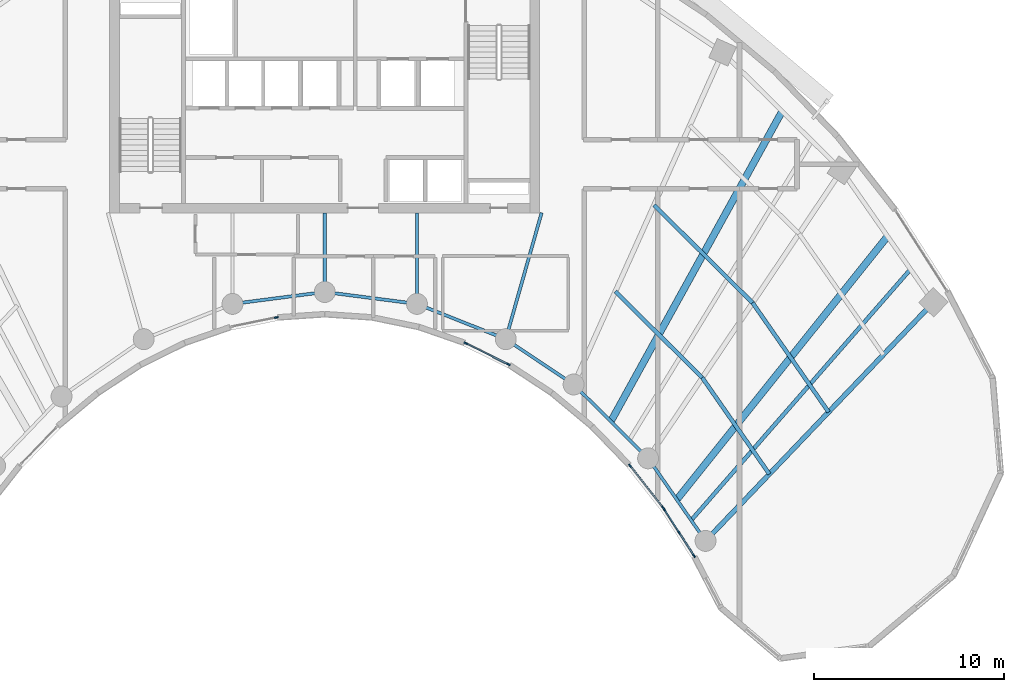
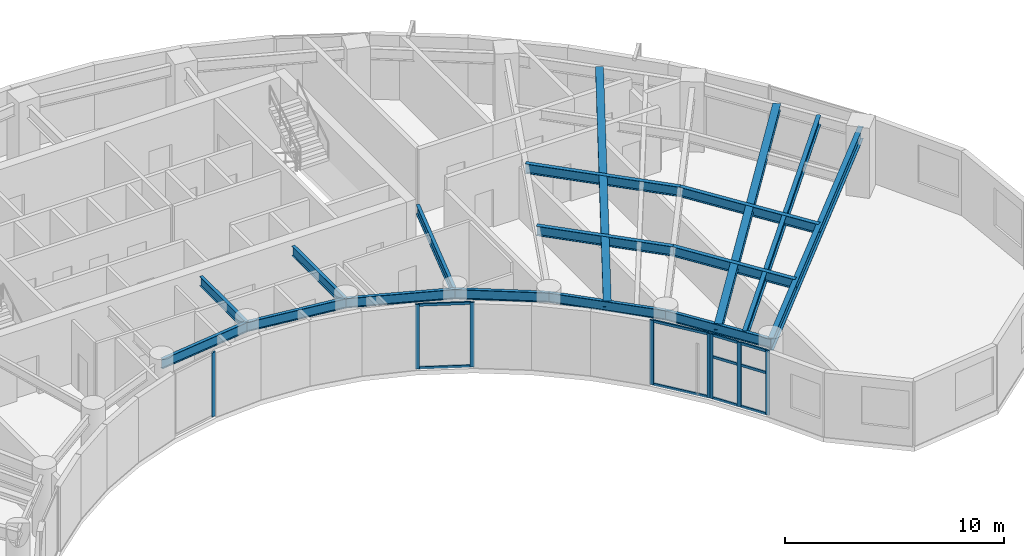
# One storey, part 3 of 13: 18 members, 17 beams, 4 elements without a shape of their own.
"""IFC4 building model written with IfcOpenShell, lengths in metres."""

from ifc_helpers import new_model, si_unit, direction, frame, origin, origin_2d, place, context, subcontext, project, spatial, rectangle, i_section, extrude, source, transform, mapped, material, layer, layer_set, material_profile, profile_set, type_object, type_shapes, element, aggregate, save


model = new_model("IFC4")

# Units and contexts
model_context = context("Model", 3, precision=1e-05, world=origin(), true_north=direction((0.0, 1.0)))
body_context = subcontext(model_context, "Body", "Model", "MODEL_VIEW")
ifc_project = project(units=[si_unit("LENGTHUNIT", "METRE"), si_unit("AREAUNIT", "SQUARE_METRE"), si_unit("VOLUMEUNIT", "CUBIC_METRE"), si_unit("PLANEANGLEUNIT", "RADIAN"), si_unit("MASSUNIT", "GRAM", prefix="KILO")], contexts=[model_context])

# Site, building, storey
site_placement = place(None, origin())
site = spatial("IfcSite", under=ifc_project, at=site_placement, CompositionType="ELEMENT")
building_placement = place(site_placement, origin())
building = spatial("IfcBuilding", under=site, at=building_placement, Name="Breltana Convention Tower", CompositionType="ELEMENT")
storey_placement = place(building_placement, frame((0.0, 0.0, 185.699951171875)))
storey = spatial("IfcBuildingStorey", under=building, at=storey_placement, Name="L45", CompositionType="ELEMENT", Elevation=185.699951171875)

# Beams
ifc_material_1 = material(Name="Steel ASTM A992 Grade 50", Category="steel")
ifc_material_profile_1 = material_profile(ifc_material_1, i_section(OverallWidth=0.2099609375, OverallDepth=0.537109375, WebThickness=0.010986328125, FlangeThickness=0.017333984375, at=origin_2d()), Name="W21X68")
ifc_profile_set_1 = profile_set([ifc_material_profile_1], Name="Steel ASTM A992 Grade 50")
beam_type_1 = type_object("IfcBeamType", Name="BM-JSG-04", PredefinedType="JOIST", material=ifc_profile_set_1)
shared_shape_1 = source(origin(), body_context, "Body", "SweptSolid", [
    extrude(i_section(OverallWidth=0.2099609375, OverallDepth=0.537109375, WebThickness=0.010986328125, FlangeThickness=0.017333984375, at=origin_2d()), origin(), (0.0, 0.0, 1.0), 6.435302734375),
])
beam_1_placement = place(storey_placement, frame((63.27392578125, 56.06298828125, 3.3115234375), z_axis=(0.710116389828, -0.704084308089, 0.0), x_axis=(0.704084308089, 0.710116389828, 0.0)))
element("IfcBeam", 1, at=beam_1_placement, inside=storey, type_object=beam_type_1, Name="L45 Composite Floor Joist 09.1", PredefinedType="JOIST", context=body_context, shape_type="MappedRepresentation", body=[
    mapped(shared_shape_1, transform((0.0, 0.0, 0.0), scale=1.0)),
])
shared_shape_2 = source(origin(), body_context, "Body", "SweptSolid", [
    extrude(i_section(OverallWidth=0.2099609375, OverallDepth=0.537109375, WebThickness=0.010986328125, FlangeThickness=0.017333984375, at=origin_2d()), origin(), (0.0, 0.0, 1.0), 7.29296875),
])
beam_2_placement = place(storey_placement, frame((65.309326171875, 60.602294921875, 3.3115234375), z_axis=(0.710096551013, -0.704104316305, 0.0), x_axis=(0.704104316305, 0.710096551013, 0.0)))
element("IfcBeam", 2, at=beam_2_placement, inside=storey, type_object=beam_type_1, Name="L45 Composite Floor Joist 09.2", PredefinedType="JOIST", context=body_context, shape_type="MappedRepresentation", body=[
    mapped(shared_shape_2, transform((0.0, 0.0, 0.0), scale=1.0)),
])
ifc_material_profile_2 = material_profile(ifc_material_1, i_section(OverallWidth=0.368896484375, OverallDepth=0.35595703125, WebThickness=0.01123046875, FlangeThickness=0.01806640625, at=origin_2d()), Name="W14X90")
ifc_profile_set_2 = profile_set([ifc_material_profile_2], Name="Steel ASTM A992 Grade 50")
beam_type_2 = type_object("IfcBeamType", Name="BM-JSG-09", PredefinedType="JOIST", material=ifc_profile_set_2)
shared_shape_3 = source(origin(), body_context, "Body", "SweptSolid", [
    extrude(i_section(OverallWidth=0.368896484375, OverallDepth=0.35595703125, WebThickness=0.01123046875, FlangeThickness=0.01806640625, at=origin_2d()), origin(), (0.0, 0.0, 1.0), 18.617431640625),
])
beam_3_placement = place(storey_placement, frame((63.038818359375, 49.234130859375, 3.402099609375), z_axis=(0.483405602507, 0.875396495004, 0.0), x_axis=(-0.875396495004, 0.483405602507, 0.0)))
element("IfcBeam", 3, at=beam_3_placement, inside=storey, type_object=beam_type_2, Name="L45 Mid-Bay Radial Trimmer 09", PredefinedType="JOIST", context=body_context, shape_type="MappedRepresentation", body=[
    mapped(shared_shape_3, transform((0.0, 0.0, 0.0), scale=1.0)),
])
shared_shape_4 = source(origin(), body_context, "Body", "SweptSolid", [
    extrude(i_section(OverallWidth=0.2099609375, OverallDepth=0.537109375, WebThickness=0.010986328125, FlangeThickness=0.017333984375, at=origin_2d()), origin(), (0.0, 0.0, 1.0), 6.172119140625),
])
beam_4_placement = place(storey_placement, frame((67.84375, 51.531982421875, 3.3115234375), z_axis=(0.571211663392, -0.820802799462, 0.0), x_axis=(0.820802799462, 0.571211663392, 0.0)))
element("IfcBeam", 4, at=beam_4_placement, inside=storey, type_object=beam_type_1, Name="L45 Composite Floor Joist 10.1", PredefinedType="JOIST", context=body_context, shape_type="MappedRepresentation", body=[
    mapped(shared_shape_4, transform((0.0, 0.0, 0.0), scale=1.0)),
])
shared_shape_5 = source(origin(), body_context, "Body", "SweptSolid", [
    extrude(i_section(OverallWidth=0.2099609375, OverallDepth=0.537109375, WebThickness=0.010986328125, FlangeThickness=0.017333984375, at=origin_2d()), origin(), (0.0, 0.0, 1.0), 6.99462890625),
])
beam_5_placement = place(storey_placement, frame((70.488037109375, 55.46728515625, 3.3115234375), z_axis=(0.571206630732, -0.820806301759, 0.0), x_axis=(0.820806301759, 0.571206630732, 0.0)))
element("IfcBeam", 5, at=beam_5_placement, inside=storey, type_object=beam_type_1, Name="L45 Composite Floor Joist 10.2", PredefinedType="JOIST", context=body_context, shape_type="MappedRepresentation", body=[
    mapped(shared_shape_5, transform((0.0, 0.0, 0.0), scale=1.0)),
])
shared_shape_6 = source(origin(), body_context, "Body", "SweptSolid", [
    extrude(i_section(OverallWidth=0.368896484375, OverallDepth=0.35595703125, WebThickness=0.01123046875, FlangeThickness=0.01806640625, at=origin_2d()), origin(), (0.0, 0.0, 1.0), 17.7236328125),
])
beam_6_placement = place(storey_placement, frame((66.505615234375, 45.124267578125, 3.402099609375), z_axis=(0.624829427563, 0.78076128647, 0.0), x_axis=(-0.78076128647, 0.624829427563, 0.0)))
element("IfcBeam", 6, at=beam_6_placement, inside=storey, type_object=beam_type_2, Name="L45 Mid-Bay Radial Trimmer 10", PredefinedType="JOIST", context=body_context, shape_type="MappedRepresentation", body=[
    mapped(shared_shape_6, transform((0.0, 0.0, 0.0), scale=1.0)),
])
shared_shape_7 = source(origin(), body_context, "Body", "SweptSolid", [
    extrude(i_section(OverallWidth=0.2099609375, OverallDepth=0.537109375, WebThickness=0.010986328125, FlangeThickness=0.017333984375, at=origin_2d()), origin(), (0.0, 0.0, 1.0), 17.515625),
])
beam_7_placement = place(storey_placement, frame((67.260498046875, 44.03955078125, 3.3115234375), z_axis=(0.658051548324, 0.752972881151, 0.0), x_axis=(-0.752972881151, 0.658051548324, 0.0)))
element("IfcBeam", 7, at=beam_7_placement, inside=storey, type_object=beam_type_1, Name="L45 Quarter-Bay Radial Trimmer 10", PredefinedType="JOIST", context=body_context, shape_type="MappedRepresentation", body=[
    mapped(shared_shape_7, transform((0.0, 0.0, 0.0), scale=1.0)),
])
ifc_material_profile_3 = material_profile(ifc_material_1, i_section(OverallWidth=0.25390625, OverallDepth=0.68798828125, WebThickness=0.01318359375, FlangeThickness=0.02099609375, at=origin_2d()), Name="W27X102")
ifc_profile_set_3 = profile_set([ifc_material_profile_3], Name="Steel ASTM A992 Grade 50")
beam_type_3 = type_object("IfcBeamType", Name="BM-RG-W27X102", PredefinedType="USERDEFINED", material=ifc_profile_set_3)
shared_shape_8 = source(origin(), body_context, "Body", "SweptSolid", [
    extrude(i_section(OverallWidth=0.25390625, OverallDepth=0.68798828125, WebThickness=0.01318359375, FlangeThickness=0.02099609375, at=origin_2d()), origin(), (0.0, 0.0, 1.0), 17.341064453125),
])
type_shapes(beam_type_3, [shared_shape_8])
beam_8_placement = place(storey_placement, frame((68.015380859375, 42.95458984375, 3.236083984375), z_axis=(0.690716462293, 0.723125693581, 0.0), x_axis=(-0.723125693581, 0.690716462293, 0.0)))
element("IfcBeam", 8, at=beam_8_placement, inside=storey, type_object=beam_type_3, Name="L45 Radial Floor Girder R11", ObjectType="GIRDER", PredefinedType="USERDEFINED", context=body_context, shape_type="MappedRepresentation", body=[
    mapped(shared_shape_8, transform((0.0, 0.0, 0.0), scale=1.0)),
])
ifc_material_profile_4 = material_profile(ifc_material_1, i_section(OverallWidth=0.166015625, OverallDepth=0.534912109375, WebThickness=0.01025390625, FlangeThickness=0.0166015625, at=origin_2d()), Name="W21X57")
ifc_profile_set_4 = profile_set([ifc_material_profile_4], Name="Steel ASTM A992 Grade 50")
beam_type_4 = type_object("IfcBeamType", Name="BM-BM-W21X57", PredefinedType="BEAM", material=ifc_profile_set_4)
shared_shape_9 = source(origin(), body_context, "Body", "SweptSolid", [
    extrude(i_section(OverallWidth=0.166015625, OverallDepth=0.534912109375, WebThickness=0.01025390625, FlangeThickness=0.0166015625, at=origin_2d()), origin(), (0.0, 0.0, 1.0), 6.904541015625),
])
type_shapes(beam_type_4, [shared_shape_9])
beam_9_placement = place(storey_placement, frame((59.39990234375, 60.199951171875, 3.3125), z_axis=(-0.273006781054, -0.962012108811, 0.0), x_axis=(0.962012108811, -0.273006781054, 0.0)))
element("IfcBeam", 9, at=beam_9_placement, inside=storey, type_object=beam_type_4, Name="L45 South Core Tie Girder R08", PredefinedType="BEAM", context=body_context, shape_type="MappedRepresentation", body=[
    mapped(shared_shape_9, transform((0.0, 0.0, 0.0), scale=1.0)),
])
shared_shape_10 = source(origin(), body_context, "Body", "SweptSolid", [
    extrude(i_section(OverallWidth=0.166015625, OverallDepth=0.534912109375, WebThickness=0.01025390625, FlangeThickness=0.0166015625, at=origin_2d()), origin(), (0.0, 0.0, 1.0), 4.789306640625),
])
beam_10_placement = place(storey_placement, frame((52.846435546875, 60.199951171875, 3.3125), z_axis=(0.0, -1.0, 0.0), x_axis=(1.0, 0.0, 0.0)))
element("IfcBeam", 10, at=beam_10_placement, inside=storey, type_object=beam_type_4, Name="L45 South Core Tie Girder R07", PredefinedType="BEAM", context=body_context, shape_type="MappedRepresentation", body=[
    mapped(shared_shape_10, transform((0.0, 0.0, 0.0), scale=1.0)),
])
shared_shape_11 = source(origin(), body_context, "Body", "SweptSolid", [
    extrude(i_section(OverallWidth=0.166015625, OverallDepth=0.534912109375, WebThickness=0.01025390625, FlangeThickness=0.0166015625, at=origin_2d()), origin(), (0.0, 0.0, 1.0), 4.1640625),
])
beam_11_placement = place(storey_placement, frame((48.0, 60.199951171875, 3.3125), z_axis=(0.0, -1.0, 0.0), x_axis=(1.0, 0.0, 0.0)))
element("IfcBeam", 11, at=beam_11_placement, inside=storey, type_object=beam_type_4, Name="L45 South Core Tie Girder R06", PredefinedType="BEAM", context=body_context, shape_type="MappedRepresentation", body=[
    mapped(shared_shape_11, transform((0.0, 0.0, 0.0), scale=1.0)),
])
shared_shape_12 = source(origin(), body_context, "Body", "SweptSolid", [
    extrude(i_section(OverallWidth=0.166015625, OverallDepth=0.534912109375, WebThickness=0.01025390625, FlangeThickness=0.0166015625, at=origin_2d()), origin(), (0.0, 0.0, 1.0), 5.022705078125),
])
beam_12_placement = place(storey_placement, frame((52.846435546875, 55.41064453125, 3.3125), z_axis=(0.929458966248, -0.368925507469, 0.0), x_axis=(0.368925507469, 0.929458966248, 0.0)))
element("IfcBeam", 12, at=beam_12_placement, inside=storey, type_object=beam_type_4, Name="L45 Inner Ring Beam 07", PredefinedType="BEAM", context=body_context, shape_type="MappedRepresentation", body=[
    mapped(shared_shape_12, transform((0.0, 0.0, 0.0), scale=1.0)),
])
shared_shape_13 = source(origin(), body_context, "Body", "SweptSolid", [
    extrude(i_section(OverallWidth=0.166015625, OverallDepth=0.534912109375, WebThickness=0.01025390625, FlangeThickness=0.0166015625, at=origin_2d()), origin(), (0.0, 0.0, 1.0), 4.88671875),
])
for number, where, z_axis, x_axis, name in (
    (13, (43.153564453125, 55.41064453125, 3.3125), (0.991780525565, 0.127950729231, 0.0), (-0.127950729231, 0.991780525565, 0.0), "L45 Inner Ring Beam 05"),
    (14, (48.0, 56.035888671875, 3.3125), (0.991780525565, -0.127950729231, 0.0), (0.127950729231, 0.991780525565, 0.0), "L45 Inner Ring Beam 06"),
):
    element("IfcBeam", number, at=place(storey_placement, frame(where, z_axis=z_axis, x_axis=x_axis)), inside=storey, type_object=beam_type_4, Name=name, PredefinedType="BEAM", context=body_context, shape_type="MappedRepresentation", body=[
        mapped(shared_shape_13, transform((0.0, 0.0, 0.0), scale=1.0)),
    ])
shared_shape_14 = source(origin(), body_context, "Body", "SweptSolid", [
    extrude(i_section(OverallWidth=0.166015625, OverallDepth=0.534912109375, WebThickness=0.01025390625, FlangeThickness=0.0166015625, at=origin_2d()), origin(), (0.0, 0.0, 1.0), 4.2900390625),
])
beam_13_placement = place(storey_placement, frame((57.514892578125, 53.5576171875, 3.3125), z_axis=(0.831515827753, -0.555501060482, 0.0), x_axis=(0.555501060482, 0.831515827753, 0.0)))
element("IfcBeam", 15, at=beam_13_placement, inside=storey, type_object=beam_type_4, Name="L45 Inner Ring Beam 08", PredefinedType="BEAM", context=body_context, shape_type="MappedRepresentation", body=[
    mapped(shared_shape_14, transform((0.0, 0.0, 0.0), scale=1.0)),
])
shared_shape_15 = source(origin(), body_context, "Body", "SweptSolid", [
    extrude(i_section(OverallWidth=0.166015625, OverallDepth=0.534912109375, WebThickness=0.01025390625, FlangeThickness=0.0166015625, at=origin_2d()), origin(), (0.0, 0.0, 1.0), 5.51171875),
])
beam_14_placement = place(storey_placement, frame((61.08203125, 51.174560546875, 3.3125), z_axis=(0.710090360749, -0.704110559196, 0.0), x_axis=(0.704110559196, 0.710090360749, 0.0)))
element("IfcBeam", 16, at=beam_14_placement, inside=storey, type_object=beam_type_4, Name="L45 Inner Ring Beam 09", PredefinedType="BEAM", context=body_context, shape_type="MappedRepresentation", body=[
    mapped(shared_shape_15, transform((0.0, 0.0, 0.0), scale=1.0)),
])
shared_shape_16 = source(origin(), body_context, "Body", "SweptSolid", [
    extrude(i_section(OverallWidth=0.166015625, OverallDepth=0.534912109375, WebThickness=0.01025390625, FlangeThickness=0.0166015625, at=origin_2d()), origin(), (0.0, 0.0, 1.0), 5.286376953125),
])
beam_15_placement = place(storey_placement, frame((64.995849609375, 47.293701171875, 3.3125), z_axis=(0.571194382458, -0.82081482531, 0.0), x_axis=(0.82081482531, 0.571194382458, 0.0)))
element("IfcBeam", 17, at=beam_15_placement, inside=storey, type_object=beam_type_4, Name="L45 Inner Ring Beam 10", PredefinedType="BEAM", context=body_context, shape_type="MappedRepresentation", body=[
    mapped(shared_shape_16, transform((0.0, 0.0, 0.0), scale=1.0)),
])

# Curtain wall, members
ifc_material_2 = material(Name="Aluminium Anodised Bronze Frame", Category="aluminium")
ifc_layer = layer(ifc_material_2, 0.18994140625, Name="Aluminium Anodised Bronze Frame")
ifc_layer_set = layer_set([ifc_layer], Name="Aluminium Anodised Bronze Frame")
curtain_wall_type = type_object("IfcCurtainWallType", Name="CW-SYS-1", PredefinedType="NOTDEFINED", material=ifc_layer_set)
curtain_wall_1_placement = place(storey_placement, origin())
curtain_wall_1 = element("IfcCurtainWall", 18, at=curtain_wall_1_placement, inside=storey, type_object=curtain_wall_type, Name="L45 inner south-court glazing 1", PredefinedType="NOTDEFINED")
ifc_material_3 = material(Name="Aluminium Anodised Bronze", Category="aluminium")
ifc_material_profile_5 = material_profile(ifc_material_3, rectangle(XDim=0.080078125, YDim=0.139892578125, at=origin_2d()), Name="CWT-80X140")
ifc_profile_set_5 = profile_set([ifc_material_profile_5], Name="Aluminium Anodised Bronze")
member_type_1 = type_object("IfcMemberType", Name="CWT-140", PredefinedType="USERDEFINED", material=ifc_profile_set_5)
shared_shape_17 = source(origin(), body_context, "Body", "SweptSolid", [
    extrude(rectangle(XDim=0.080078125, YDim=0.139892578125, at=origin_2d()), origin(), (0.0, 0.0, 1.0), 1.3701171875),
])
member_1_placement = place(storey_placement, frame((67.38818359375, 42.2041015625, 0.0400390625), z_axis=(-0.540226175019, 0.841519863, 0.0), x_axis=(-0.841519863, -0.540226175019, 0.0)))
member_1 = element("IfcMember", 19, at=member_1_placement, type_object=member_type_1, Name="CW-01 transom 1.1", ObjectType="TRANSOM", PredefinedType="USERDEFINED", context=body_context, shape_type="MappedRepresentation", body=[
    mapped(shared_shape_17, transform((0.0, 0.0, 0.0), scale=1.0)),
])
member_2_placement = place(storey_placement, frame((67.38818359375, 42.2041015625, 2.3271484375), z_axis=(-0.540226175019, 0.841519863, 0.0), x_axis=(-0.841519863, -0.540226175019, 0.0)))
member_2 = element("IfcMember", 20, at=member_2_placement, type_object=member_type_1, Name="CW-01 transom 1.2", ObjectType="TRANSOM", PredefinedType="USERDEFINED", context=body_context, shape_type="MappedRepresentation", body=[
    mapped(shared_shape_17, transform((0.0, 0.0, 0.0), scale=1.0)),
])
member_3_placement = place(storey_placement, frame((67.38818359375, 42.2041015625, 3.5400390625), z_axis=(-0.540226175019, 0.841519863, 0.0), x_axis=(-0.841519863, -0.540226175019, 0.0)))
member_3 = element("IfcMember", 21, at=member_3_placement, type_object=member_type_1, Name="CW-01 transom 1.3", ObjectType="TRANSOM", PredefinedType="USERDEFINED", context=body_context, shape_type="MappedRepresentation", body=[
    mapped(shared_shape_17, transform((0.0, 0.0, 0.0), scale=1.0)),
])
member_4_placement = place(storey_placement, frame((66.604736328125, 43.424560546875, 0.0400390625), z_axis=(-0.540226175019, 0.841519863, 0.0), x_axis=(-0.841519863, -0.540226175019, 0.0)))
member_4 = element("IfcMember", 22, at=member_4_placement, type_object=member_type_1, Name="CW-01 transom 2.1", ObjectType="TRANSOM", PredefinedType="USERDEFINED", context=body_context, shape_type="MappedRepresentation", body=[
    mapped(shared_shape_17, transform((0.0, 0.0, 0.0), scale=1.0)),
])
member_5_placement = place(storey_placement, frame((66.604736328125, 43.424560546875, 2.3271484375), z_axis=(-0.540226175019, 0.841519863, 0.0), x_axis=(-0.841519863, -0.540226175019, 0.0)))
member_5 = element("IfcMember", 23, at=member_5_placement, type_object=member_type_1, Name="CW-01 transom 2.2", ObjectType="TRANSOM", PredefinedType="USERDEFINED", context=body_context, shape_type="MappedRepresentation", body=[
    mapped(shared_shape_17, transform((0.0, 0.0, 0.0), scale=1.0)),
])
member_6_placement = place(storey_placement, frame((66.604736328125, 43.424560546875, 3.5400390625), z_axis=(-0.540226175019, 0.841519863, 0.0), x_axis=(-0.841519863, -0.540226175019, 0.0)))
member_6 = element("IfcMember", 24, at=member_6_placement, type_object=member_type_1, Name="CW-01 transom 2.3", ObjectType="TRANSOM", PredefinedType="USERDEFINED", context=body_context, shape_type="MappedRepresentation", body=[
    mapped(shared_shape_17, transform((0.0, 0.0, 0.0), scale=1.0)),
])

curtain_wall_2_placement = place(storey_placement, origin())
curtain_wall_2 = element("IfcCurtainWall", 25, at=curtain_wall_2_placement, inside=storey, type_object=curtain_wall_type, Name="L45 inner south-court glazing 2", PredefinedType="NOTDEFINED")
shared_shape_18 = source(origin(), body_context, "Body", "SweptSolid", [
    extrude(rectangle(XDim=0.080078125, YDim=0.139892578125, at=origin_2d()), origin(), (0.0, 0.0, 1.0), 2.7373046875),
])
member_7_placement = place(storey_placement, frame((65.761962890625, 44.721923828125, 0.0400390625), z_axis=(-0.618179938224, 0.786036617453, 0.0), x_axis=(-0.786036617453, -0.618179938224, 0.0)))
member_7 = element("IfcMember", 26, at=member_7_placement, type_object=member_type_1, Name="CW-01 transom 1.1", ObjectType="TRANSOM", PredefinedType="USERDEFINED", context=body_context, shape_type="MappedRepresentation", body=[
    mapped(shared_shape_18, transform((0.0, 0.0, 0.0), scale=1.0)),
])
member_8_placement = place(storey_placement, frame((65.761962890625, 44.721923828125, 3.5400390625), z_axis=(-0.618179938224, 0.786036617453, 0.0), x_axis=(-0.786036617453, -0.618179938224, 0.0)))
member_8 = element("IfcMember", 27, at=member_8_placement, type_object=member_type_1, Name="CW-01 transom 1.2", ObjectType="TRANSOM", PredefinedType="USERDEFINED", context=body_context, shape_type="MappedRepresentation", body=[
    mapped(shared_shape_18, transform((0.0, 0.0, 0.0), scale=1.0)),
])

curtain_wall_3_placement = place(storey_placement, origin())
curtain_wall_3 = element("IfcCurtainWall", 28, at=curtain_wall_3_placement, inside=storey, type_object=curtain_wall_type, Name="L45 inner south-court glazing 3", PredefinedType="NOTDEFINED")
shared_shape_19 = source(origin(), body_context, "Body", "SweptSolid", [
    extrude(rectangle(XDim=0.080078125, YDim=0.139892578125, at=origin_2d()), origin(), (0.0, 0.0, 1.0), 2.42431640625),
])
member_9_placement = place(storey_placement, frame((57.620361328125, 52.248779296875, 0.0400390625), z_axis=(-0.895932597015, 0.44419002871, 0.0), x_axis=(-0.44419002871, -0.895932597015, 0.0)))
member_9 = element("IfcMember", 29, at=member_9_placement, type_object=member_type_1, Name="CW-01 transom 1.1", ObjectType="TRANSOM", PredefinedType="USERDEFINED", context=body_context, shape_type="MappedRepresentation", body=[
    mapped(shared_shape_19, transform((0.0, 0.0, 0.0), scale=1.0)),
])
member_10_placement = place(storey_placement, frame((57.620361328125, 52.248779296875, 3.5400390625), z_axis=(-0.895932597015, 0.44419002871, 0.0), x_axis=(-0.44419002871, -0.895932597015, 0.0)))
member_10 = element("IfcMember", 30, at=member_10_placement, type_object=member_type_1, Name="CW-01 transom 1.2", ObjectType="TRANSOM", PredefinedType="USERDEFINED", context=body_context, shape_type="MappedRepresentation", body=[
    mapped(shared_shape_19, transform((0.0, 0.0, 0.0), scale=1.0)),
])

# Member
ifc_material_profile_6 = material_profile(ifc_material_3, rectangle(XDim=0.080078125, YDim=0.199951171875, at=origin_2d()), Name="CWM-80X200")
ifc_profile_set_6 = profile_set([ifc_material_profile_6], Name="Aluminium Anodised Bronze")
member_type_2 = type_object("IfcMemberType", Name="CWM-200", PredefinedType="MULLION", material=ifc_profile_set_6)
shared_shape_20 = source(origin(), body_context, "Body", "SweptSolid", [
    extrude(rectangle(XDim=0.080078125, YDim=0.199951171875, at=origin_2d()), origin(), (0.0, 0.0, 1.0), 3.580078125),
])
member_11_placement = place(storey_placement, frame((67.40966796875, 42.17041015625, 0.0), z_axis=(0.0, 0.0, 1.0), x_axis=(-0.841546744491, -0.540184298954, 0.0)))
member_11 = element("IfcMember", 31, at=member_11_placement, type_object=member_type_2, Name="CW-01 mullion 1", PredefinedType="MULLION", context=body_context, shape_type="MappedRepresentation", body=[
    mapped(shared_shape_20, transform((0.0, 0.0, 0.0), scale=1.0)),
])

member_12_placement = place(storey_placement, frame((66.626220703125, 43.390869140625, 0.0), z_axis=(0.0, 0.0, 1.0), x_axis=(-0.841546744491, -0.540184298954, 0.0)))
member_12 = element("IfcMember", 32, at=member_12_placement, type_object=member_type_2, Name="CW-01 mullion 2", PredefinedType="MULLION", context=body_context, shape_type="MappedRepresentation", body=[
    mapped(shared_shape_20, transform((0.0, 0.0, 0.0), scale=1.0)),
])

member_13_placement = place(storey_placement, frame((65.843017578125, 44.611328125, 0.0), z_axis=(0.0, 0.0, 1.0), x_axis=(-0.841546744491, -0.540184298954, 0.0)))
member_13 = element("IfcMember", 33, at=member_13_placement, type_object=member_type_2, Name="CW-01 mullion 3", PredefinedType="MULLION", context=body_context, shape_type="MappedRepresentation", body=[
    mapped(shared_shape_20, transform((0.0, 0.0, 0.0), scale=1.0)),
])

aggregate(curtain_wall_1, [member_11, member_12, member_13, member_1, member_2, member_3, member_4, member_5, member_6])

member_14_placement = place(storey_placement, frame((65.78662109375, 44.6904296875, 0.0), z_axis=(0.0, 0.0, 1.0), x_axis=(-0.786051168431, -0.618161435717, 0.0)))
member_14 = element("IfcMember", 34, at=member_14_placement, type_object=member_type_2, Name="CW-01 mullion 1", PredefinedType="MULLION", context=body_context, shape_type="MappedRepresentation", body=[
    mapped(shared_shape_20, transform((0.0, 0.0, 0.0), scale=1.0)),
])

member_15_placement = place(storey_placement, frame((64.045166015625, 46.905029296875, 0.0), z_axis=(0.0, 0.0, 1.0), x_axis=(-0.786051168431, -0.618161435717, 0.0)))
member_15 = element("IfcMember", 35, at=member_15_placement, type_object=member_type_2, Name="CW-01 mullion 2", PredefinedType="MULLION", context=body_context, shape_type="MappedRepresentation", body=[
    mapped(shared_shape_20, transform((0.0, 0.0, 0.0), scale=1.0)),
])

aggregate(curtain_wall_2, [member_14, member_15, member_7, member_8])

member_16_placement = place(storey_placement, frame((57.65625, 52.23095703125, 0.0), z_axis=(0.0, 0.0, 1.0), x_axis=(-0.444115496562, -0.895969545082, 0.0)))
member_16 = element("IfcMember", 36, at=member_16_placement, type_object=member_type_2, Name="CW-01 mullion 1", PredefinedType="MULLION", context=body_context, shape_type="MappedRepresentation", body=[
    mapped(shared_shape_20, transform((0.0, 0.0, 0.0), scale=1.0)),
])

member_17_placement = place(storey_placement, frame((55.412353515625, 53.34326171875, 0.0), z_axis=(0.0, 0.0, 1.0), x_axis=(-0.444115496562, -0.895969545082, 0.0)))
member_17 = element("IfcMember", 37, at=member_17_placement, type_object=member_type_2, Name="CW-01 mullion 2", PredefinedType="MULLION", context=body_context, shape_type="MappedRepresentation", body=[
    mapped(shared_shape_20, transform((0.0, 0.0, 0.0), scale=1.0)),
])

aggregate(curtain_wall_3, [member_16, member_17, member_9, member_10])

# Curtain wall, member
curtain_wall_4_placement = place(storey_placement, origin())
curtain_wall_4 = element("IfcCurtainWall", 38, at=curtain_wall_4_placement, inside=storey, type_object=curtain_wall_type, Name="L45 inner south-court glazing 4", PredefinedType="NOTDEFINED")
member_18_placement = place(storey_placement, frame((45.458740234375, 54.69677734375, 0.0), z_axis=(0.0, 0.0, 1.0), x_axis=(0.200861178299, -0.979619715529, 0.0)))
member_18 = element("IfcMember", 39, at=member_18_placement, type_object=member_type_2, Name="CW-01 mullion 1", PredefinedType="MULLION", context=body_context, shape_type="MappedRepresentation", body=[
    mapped(shared_shape_20, transform((0.0, 0.0, 0.0), scale=1.0)),
])
aggregate(curtain_wall_4, [member_18])

save(model, "model.ifc")
